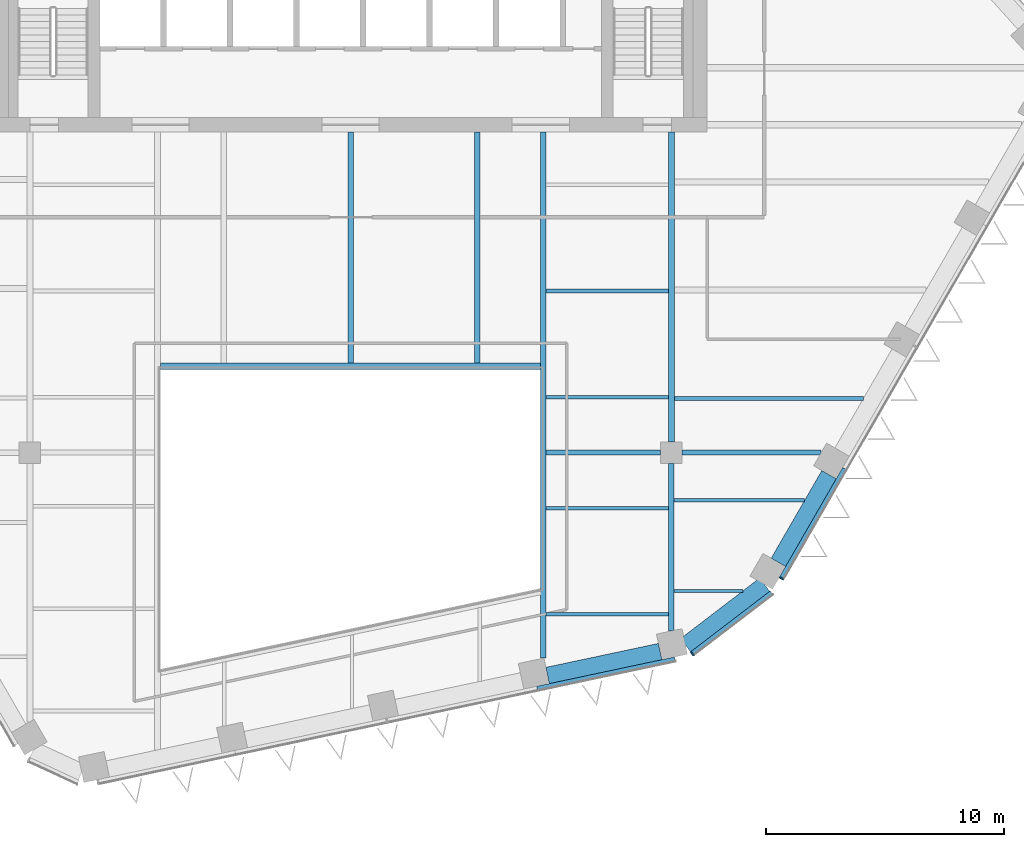
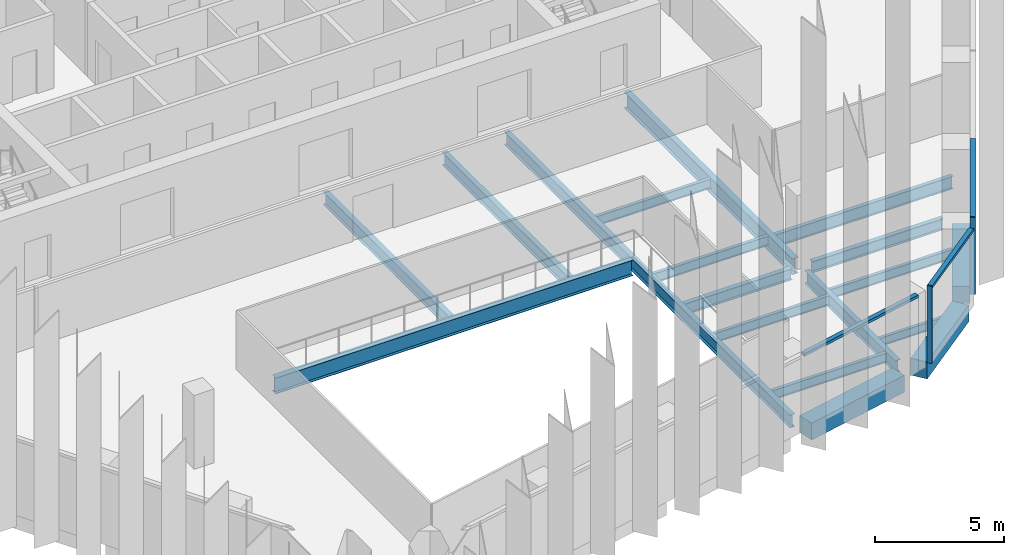
# One storey, part 4 of 18: 18 beams, 5 members, 3 elements without a shape of their own.
"""IFC4 building model written with IfcOpenShell, lengths in metres."""

from ifc_helpers import new_model, si_unit, direction, frame, origin, origin_2d, place, context, subcontext, project, spatial, rectangle, i_section, extrude, material, layer, layer_set, material_profile, profile_set, type_object, element, aggregate, save


model = new_model("IFC4")

# Units and contexts
model_context = context("Model", 3, precision=1e-05, world=origin(), true_north=direction((0.0, 1.0)))
body_context = subcontext(model_context, "Body", "Model", "MODEL_VIEW")
ifc_project = project(units=[si_unit("LENGTHUNIT", "METRE"), si_unit("AREAUNIT", "SQUARE_METRE"), si_unit("VOLUMEUNIT", "CUBIC_METRE"), si_unit("PLANEANGLEUNIT", "RADIAN"), si_unit("MASSUNIT", "GRAM", prefix="KILO")], contexts=[model_context])

# Site, building, storey
site_placement = place(None, origin())
site = spatial("IfcSite", under=ifc_project, at=site_placement, CompositionType="ELEMENT")
building_placement = place(site_placement, origin())
building = spatial("IfcBuilding", under=site, at=building_placement, Name="Isthmus Gate Tower", CompositionType="ELEMENT")
storey_placement = place(building_placement, frame((0.0, 0.0, 238.199951171875)))
storey = spatial("IfcBuildingStorey", under=building, at=storey_placement, Name="L60", CompositionType="ELEMENT", Elevation=238.199951171875)

# Curtain wall, member
ifc_material_1 = material(Name="Aluminium, pale champagne anodised", Category="aluminium")
ifc_layer = layer(ifc_material_1, 0.199951171875)
ifc_layer_set = layer_set([ifc_layer], Name="CW-1 UNITISED CURTAIN WALL 200 DEEP")
curtain_wall_type = type_object("IfcCurtainWallType", Name="CW-1 UNITISED CURTAIN WALL 200 DEEP", PredefinedType="NOTDEFINED", material=ifc_layer_set)
curtain_wall_1_placement = place(storey_placement, origin())
curtain_wall_1 = element("IfcCurtainWall", 1, at=curtain_wall_1_placement, inside=storey, type_object=curtain_wall_type, Name="CW-1 S-SE L60", PredefinedType="NOTDEFINED")
ifc_material_2 = material(Name="Aluminium, pale champagne anodised", Category="aluminium")
ifc_material_profile_1 = material_profile(ifc_material_2, rectangle(XDim=0.06005859375, YDim=0.199951171875, at=origin_2d()), Name="60x200")
ifc_profile_set_1 = profile_set([ifc_material_profile_1], Name="Aluminium, pale champagne anodised")
member_type_1 = type_object("IfcMemberType", Name="CW-1 MULLION 60 X 200", PredefinedType="MULLION", material=ifc_profile_set_1)
member_1_placement = place(storey_placement, frame((14.3720703125, -21.961669921875, 0.0), z_axis=(0.0, 0.0, 1.0), x_axis=(0.794188594387, 0.607671355706, 0.0)))
member_1 = element("IfcMember", 2, at=member_1_placement, type_object=member_type_1, Name="CW-1 mullion", PredefinedType="MULLION", context=body_context, shape_type="SweptSolid", body=[
    extrude(rectangle(XDim=0.06005859375, YDim=0.199951171875, at=origin_2d()), origin(), (0.0, 0.0, 1.0), 3.650146484375),
])

curtain_wall_2_placement = place(storey_placement, origin())
curtain_wall_2 = element("IfcCurtainWall", 3, at=curtain_wall_2_placement, inside=storey, type_object=curtain_wall_type, Name="CW-1 SE L60", PredefinedType="NOTDEFINED")
member_2_placement = place(storey_placement, frame((18.131591796875, -18.794921875, 0.0), z_axis=(0.0, 0.0, 1.0), x_axis=(0.5, 0.866025403784, 0.0)))
member_2 = element("IfcMember", 4, at=member_2_placement, type_object=member_type_1, Name="CW-1 mullion", PredefinedType="MULLION", context=body_context, shape_type="SweptSolid", body=[
    extrude(rectangle(XDim=0.06005859375, YDim=0.199951171875, at=origin_2d()), origin(), (0.0, 0.0, 1.0), 3.650146484375),
])

curtain_wall_3_placement = place(storey_placement, origin())
curtain_wall_3 = element("IfcCurtainWall", 5, at=curtain_wall_3_placement, inside=storey, type_object=curtain_wall_type, Name="CW-1 S L60", PredefinedType="NOTDEFINED")
ifc_material_3 = material(Name="Aluminium, pale champagne anodised", Category="aluminium")
ifc_material_profile_2 = material_profile(ifc_material_3, rectangle(XDim=0.199951171875, YDim=0.1298828125, at=origin_2d()), Name="200x130")
ifc_profile_set_2 = profile_set([ifc_material_profile_2], Name="Aluminium, pale champagne anodised")
member_type_2 = type_object("IfcMemberType", Name="CW-1 TRANSOM 200 X 130", PredefinedType="USERDEFINED", material=ifc_profile_set_2)
member_3_placement = place(storey_placement, frame((7.844970703125, -23.434814453125, 3.5849609375), z_axis=(0.978148616043, 0.207906914105, 0.0), x_axis=(-0.207906914105, 0.978148616043, 0.0)))
member_3 = element("IfcMember", 6, at=member_3_placement, type_object=member_type_2, Name="CW-1 transom", ObjectType="TRANSOM", PredefinedType="USERDEFINED", context=body_context, shape_type="SweptSolid", body=[
    extrude(rectangle(XDim=0.199951171875, YDim=0.1298828125, at=origin_2d()), origin(), (0.0, 0.0, 1.0), 5.94189453125),
])
aggregate(curtain_wall_3, [member_3])

# Member
member_4_placement = place(storey_placement, frame((14.39599609375, -21.943603515625, 3.5849609375), z_axis=(0.794175498212, 0.607688471209, 0.0), x_axis=(-0.607688471209, 0.794175498212, 0.0)))
member_4 = element("IfcMember", 7, at=member_4_placement, type_object=member_type_2, Name="CW-1 transom", ObjectType="TRANSOM", PredefinedType="USERDEFINED", context=body_context, shape_type="SweptSolid", body=[
    extrude(rectangle(XDim=0.199951171875, YDim=0.1298828125, at=origin_2d()), origin(), (0.0, 0.0, 1.0), 4.181396484375),
])

aggregate(curtain_wall_1, [member_1, member_4])

member_5_placement = place(storey_placement, frame((18.146728515625, -18.76904296875, 3.5849609375), z_axis=(0.499968318869, 0.866043694121, 0.0), x_axis=(-0.866043694121, 0.499968318869, 0.0)))
member_5 = element("IfcMember", 8, at=member_5_placement, type_object=member_type_2, Name="CW-1 transom", ObjectType="TRANSOM", PredefinedType="USERDEFINED", context=body_context, shape_type="SweptSolid", body=[
    extrude(rectangle(XDim=0.199951171875, YDim=0.1298828125, at=origin_2d()), origin(), (0.0, 0.0, 1.0), 5.300537109375),
])

aggregate(curtain_wall_2, [member_2, member_5])

# Beams
ifc_material_4 = material(Name="Concrete f'c 50 MPa", Category="concrete")
ifc_material_profile_3 = material_profile(ifc_material_4, rectangle(XDim=0.699951171875, YDim=0.800048828125, at=origin_2d()), Name="RC 700X800")
ifc_profile_set_3 = profile_set([ifc_material_profile_3], Name="Concrete f'c 50 MPa")
beam_type_1 = type_object("IfcBeamType", Name="RC SPANDREL 700 X 800", PredefinedType="SPANDREL", material=ifc_profile_set_3)
beam_1_placement = place(storey_placement, frame((20.13232421875, -14.429931640625, -0.39990234375), z_axis=(-0.500021719575, -0.866012863619, 0.0), x_axis=(0.866012863619, -0.500021719575, 0.0)))
element("IfcBeam", 9, at=beam_1_placement, inside=storey, type_object=beam_type_1, Name="str-spandrel-L60-09", PredefinedType="SPANDREL", context=body_context, shape_type="SweptSolid", body=[
    extrude(rectangle(XDim=0.699951171875, YDim=0.800048828125, at=origin_2d()), origin(), (0.0, 0.0, 1.0), 4.260498046875),
])
beam_2_placement = place(storey_placement, frame((17.4267578125, -19.057861328125, -0.39990234375), z_axis=(-0.794182771845, -0.60767896533, 0.0), x_axis=(0.60767896533, -0.794182771845, 0.0)))
element("IfcBeam", 10, at=beam_2_placement, inside=storey, type_object=beam_type_1, Name="str-spandrel-L60-10", PredefinedType="SPANDREL", context=body_context, shape_type="SweptSolid", body=[
    extrude(rectangle(XDim=0.699951171875, YDim=0.800048828125, at=origin_2d()), origin(), (0.0, 0.0, 1.0), 4.19677734375),
])
beam_3_placement = place(storey_placement, frame((13.025390625, -21.87353515625, -0.39990234375), z_axis=(-0.978151545833, -0.207893129722, 0.0), x_axis=(0.207893129722, -0.978151545833, 0.0)))
element("IfcBeam", 11, at=beam_3_placement, inside=storey, type_object=beam_type_1, Name="str-spandrel-L60-11", PredefinedType="SPANDREL", context=body_context, shape_type="SweptSolid", body=[
    extrude(rectangle(XDim=0.699951171875, YDim=0.800048828125, at=origin_2d()), origin(), (0.0, 0.0, 1.0), 4.841796875),
])
ifc_material_5 = material(Name="Structural steel ASTM A992 Gr 50", Category="steel")
ifc_material_profile_4 = material_profile(ifc_material_5, i_section(OverallWidth=0.1396484375, OverallDepth=0.4033203125, WebThickness=0.00634765625, FlangeThickness=0.010986328125, at=origin_2d()), Name="W16X31")
ifc_profile_set_4 = profile_set([ifc_material_profile_4], Name="Structural steel ASTM A992 Gr 50")
beam_type_2 = type_object("IfcBeamType", Name="STEEL FLOOR BEAM W16X31", PredefinedType="JOIST", material=ifc_profile_set_4)
beam_4_placement = place(storey_placement, frame((13.6142578125, -19.322998046875, -0.3515625), z_axis=(1.0, 0.0, 0.0), x_axis=(0.0, 1.0, 0.0)))
element("IfcBeam", 12, at=beam_4_placement, inside=storey, type_object=beam_type_2, Name="str-beam-L60-11-00", PredefinedType="JOIST", context=body_context, shape_type="SweptSolid", body=[
    extrude(i_section(OverallWidth=0.1396484375, OverallDepth=0.4033203125, WebThickness=0.00634765625, FlangeThickness=0.010986328125, at=origin_2d()), origin(), (0.0, 0.0, 1.0), 2.889892578125),
])
ifc_material_6 = material(Name="Structural steel ASTM A992 Gr 50", Category="steel")
ifc_material_profile_5 = material_profile(ifc_material_6, i_section(OverallWidth=0.15234375, OverallDepth=0.45068359375, WebThickness=0.0078125, FlangeThickness=0.010986328125, at=origin_2d()), Name="W18X35")
ifc_profile_set_5 = profile_set([ifc_material_profile_5], Name="Structural steel ASTM A992 Gr 50")
beam_type_3 = type_object("IfcBeamType", Name="STEEL FLOOR BEAM W18X35", PredefinedType="JOIST", material=ifc_profile_set_5)
for number, where, z_axis, x_axis, name in (
    (13, (8.228515625, -20.3046875, -0.375244140625), (1.0, 0.0, 0.0), (0.0, 1.0, 0.0), "str-beam-L60-09-00"),
    (14, (8.228515625, -15.838134765625, -0.375244140625), (1.0, 0.0, 0.0), (0.0, 1.0, 0.0), "str-beam-L60-09-01"),
):
    element("IfcBeam", number, at=place(storey_placement, frame(where, z_axis=z_axis, x_axis=x_axis)), inside=storey, type_object=beam_type_3, Name=name, PredefinedType="JOIST", context=body_context, shape_type="SweptSolid", body=[
        extrude(i_section(OverallWidth=0.15234375, OverallDepth=0.45068359375, WebThickness=0.0078125, FlangeThickness=0.010986328125, at=origin_2d()), origin(), (0.0, 0.0, 1.0), 5.1572265625),
    ])
for number, where, z_axis, x_axis, name in (
    (15, (8.228515625, -11.16259765625, -0.375244140625), (1.0, 0.0, 0.0), (0.0, 1.0, 0.0), "str-beam-L60-10-00"),
    (16, (8.228515625, -6.697509765625, -0.375244140625), (1.0, 0.0, 0.0), (0.0, 1.0, 0.0), "str-beam-L60-10-01"),
):
    element("IfcBeam", number, at=place(storey_placement, frame(where, z_axis=z_axis, x_axis=x_axis)), inside=storey, type_object=beam_type_3, Name=name, PredefinedType="JOIST", context=body_context, shape_type="SweptSolid", body=[
        extrude(i_section(OverallWidth=0.15234375, OverallDepth=0.45068359375, WebThickness=0.0078125, FlangeThickness=0.010986328125, at=origin_2d()), origin(), (0.0, 0.0, 1.0), 5.1396484375),
    ])
beam_5_placement = place(storey_placement, frame((13.6142578125, -15.5107421875, -0.375244140625), z_axis=(1.0, 0.0, 0.0), x_axis=(0.0, 1.0, 0.0)))
element("IfcBeam", 17, at=beam_5_placement, inside=storey, type_object=beam_type_3, Name="str-beam-L60-11-01", PredefinedType="JOIST", context=body_context, shape_type="SweptSolid", body=[
    extrude(i_section(OverallWidth=0.15234375, OverallDepth=0.45068359375, WebThickness=0.0078125, FlangeThickness=0.010986328125, at=origin_2d()), origin(), (0.0, 0.0, 1.0), 5.48974609375),
])
ifc_material_7 = material(Name="Structural steel ASTM A992 Gr 50", Category="steel")
ifc_material_profile_6 = material_profile(ifc_material_7, i_section(OverallWidth=0.177734375, OverallDepth=0.60009765625, WebThickness=0.009521484375, FlangeThickness=0.0126953125, at=origin_2d()), Name="W24X55")
ifc_profile_set_6 = profile_set([ifc_material_profile_6], Name="Structural steel ASTM A992 Gr 50")
beam_type_4 = type_object("IfcBeamType", Name="STEEL FLOOR BEAM W24X55", PredefinedType="JOIST", material=ifc_profile_set_6)
beam_6_placement = place(storey_placement, frame((13.6318359375, -11.221923828125, -0.449951171875), z_axis=(1.0, 0.0, 0.0), x_axis=(0.0, 1.0, 0.0)))
element("IfcBeam", 18, at=beam_6_placement, inside=storey, type_object=beam_type_4, Name="str-beam-L60-12-00", PredefinedType="JOIST", context=body_context, shape_type="SweptSolid", body=[
    extrude(i_section(OverallWidth=0.177734375, OverallDepth=0.60009765625, WebThickness=0.009521484375, FlangeThickness=0.0126953125, at=origin_2d()), origin(), (0.0, 0.0, 1.0), 7.948486328125),
])
ifc_material_8 = material(Name="Structural steel ASTM A992 Gr 50", Category="steel")
ifc_material_profile_7 = material_profile(ifc_material_8, i_section(OverallWidth=0.228515625, OverallDepth=0.603271484375, WebThickness=0.010986328125, FlangeThickness=0.014404296875, at=origin_2d()), Name="W24X68")
ifc_profile_set_7 = profile_set([ifc_material_profile_7], Name="Structural steel ASTM A992 Gr 50")
beam_type_5 = type_object("IfcBeamType", Name="STEEL FLOOR BEAM W24X68", PredefinedType="JOIST", material=ifc_profile_set_7)
for number, where, z_axis, x_axis, name in (
    (19, (0.0, -9.7333984375, -0.45166015625), (0.0, 1.0, 0.0), (-1.0, 0.0, 0.0), "str-beam-L60-07-01"),
    (20, (5.333251953125, -9.7333984375, -0.45166015625), (0.0, 1.0, 0.0), (-1.0, 0.0, 0.0), "str-beam-L60-07-02"),
):
    element("IfcBeam", number, at=place(storey_placement, frame(where, z_axis=z_axis, x_axis=x_axis)), inside=storey, type_object=beam_type_5, Name=name, PredefinedType="JOIST", context=body_context, shape_type="SweptSolid", body=[
        extrude(i_section(OverallWidth=0.228515625, OverallDepth=0.603271484375, WebThickness=0.010986328125, FlangeThickness=0.014404296875, at=origin_2d()), origin(), (0.0, 0.0, 1.0), 9.7333984375),
    ])
ifc_material_9 = material(Name="Structural steel ASTM A992 Gr 50", Category="steel")
ifc_material_profile_8 = material_profile(ifc_material_9, i_section(OverallWidth=0.20947265625, OverallDepth=0.533447265625, WebThickness=0.009521484375, FlangeThickness=0.015869140625, at=origin_2d()), Name="W21X62")
ifc_profile_set_8 = profile_set([ifc_material_profile_8], Name="Structural steel ASTM A992 Gr 50")
beam_type_6 = type_object("IfcBeamType", Name="STEEL GIRDER W21X62", PredefinedType="BEAM", material=ifc_profile_set_8)
beam_7_placement = place(storey_placement, frame((8.228515625, -13.5, -0.416748046875), z_axis=(1.0, 0.0, 0.0), x_axis=(0.0, 1.0, 0.0)))
element("IfcBeam", 21, at=beam_7_placement, inside=storey, type_object=beam_type_6, Name="str-girder-L60-03", PredefinedType="BEAM", context=body_context, shape_type="SweptSolid", body=[
    extrude(i_section(OverallWidth=0.20947265625, OverallDepth=0.533447265625, WebThickness=0.009521484375, FlangeThickness=0.015869140625, at=origin_2d()), origin(), (0.0, 0.0, 1.0), 4.821533203125),
])
beam_8_placement = place(storey_placement, frame((13.949951171875, -13.5, -0.416748046875), z_axis=(1.0, 0.0, 0.0), x_axis=(0.0, 1.0, 0.0)))
element("IfcBeam", 22, at=beam_8_placement, inside=storey, type_object=beam_type_6, Name="str-girder-L60-04", PredefinedType="BEAM", context=body_context, shape_type="SweptSolid", body=[
    extrude(i_section(OverallWidth=0.20947265625, OverallDepth=0.533447265625, WebThickness=0.009521484375, FlangeThickness=0.015869140625, at=origin_2d()), origin(), (0.0, 0.0, 1.0), 5.853271484375),
])
ifc_material_10 = material(Name="Structural steel ASTM A992 Gr 50", Category="steel")
ifc_material_profile_9 = material_profile(ifc_material_10, i_section(OverallWidth=0.228515625, OverallDepth=0.603271484375, WebThickness=0.010986328125, FlangeThickness=0.014404296875, at=origin_2d()), Name="W24X68")
ifc_profile_set_9 = profile_set([ifc_material_profile_9], Name="Structural steel ASTM A992 Gr 50")
beam_type_7 = type_object("IfcBeamType", Name="STEEL GIRDER W24X68", PredefinedType="BEAM", material=ifc_profile_set_9)
beam_9_placement = place(storey_placement, frame((13.5, -21.005859375, -0.45166015625), z_axis=(0.0, 1.0, 0.0), x_axis=(-1.0, 0.0, 0.0)))
element("IfcBeam", 23, at=beam_9_placement, inside=storey, type_object=beam_type_7, Name="str-girder-L60-07", PredefinedType="BEAM", context=body_context, shape_type="SweptSolid", body=[
    extrude(i_section(OverallWidth=0.228515625, OverallDepth=0.603271484375, WebThickness=0.010986328125, FlangeThickness=0.014404296875, at=origin_2d()), origin(), (0.0, 0.0, 1.0), 7.055908203125),
])
ifc_material_11 = material(Name="Structural steel ASTM A992 Gr 50", Category="steel")
ifc_material_profile_10 = material_profile(ifc_material_11, i_section(OverallWidth=0.263427734375, OverallDepth=0.749267578125, WebThickness=0.0126953125, FlangeThickness=0.015869140625, at=origin_2d()), Name="W30X90")
ifc_profile_set_10 = profile_set([ifc_material_profile_10], Name="Structural steel ASTM A992 Gr 50")
beam_type_8 = type_object("IfcBeamType", Name="STEEL GIRDER W30X90", PredefinedType="BEAM", material=ifc_profile_set_10)
beam_10_placement = place(storey_placement, frame((13.5, -13.050048828125, -0.524658203125), z_axis=(0.0, 1.0, 0.0), x_axis=(-1.0, 0.0, 0.0)))
element("IfcBeam", 24, at=beam_10_placement, inside=storey, type_object=beam_type_8, Name="str-girder-L60-08", PredefinedType="BEAM", context=body_context, shape_type="SweptSolid", body=[
    extrude(i_section(OverallWidth=0.263427734375, OverallDepth=0.749267578125, WebThickness=0.0126953125, FlangeThickness=0.015869140625, at=origin_2d()), origin(), (0.0, 0.0, 1.0), 13.050048828125),
])
ifc_material_12 = material(Name="Structural steel ASTM A992 Gr 50", Category="steel")
ifc_material_profile_11 = material_profile(ifc_material_12, i_section(OverallWidth=0.228515625, OverallDepth=0.6064453125, WebThickness=0.010986328125, FlangeThickness=0.017578125, at=origin_2d()), Name="W24X76")
ifc_profile_set_11 = profile_set([ifc_material_profile_11], Name="Structural steel ASTM A992 Gr 50")
beam_type_9 = type_object("IfcBeamType", Name="STEEL TRIMMER W24X76", PredefinedType="BEAM", material=ifc_profile_set_11)
beam_11_placement = place(storey_placement, frame((8.1142578125, -22.150634765625, -0.453125), z_axis=(0.0, 1.0, 0.0), x_axis=(-1.0, 0.0, 0.0)))
element("IfcBeam", 25, at=beam_11_placement, inside=storey, type_object=beam_type_9, Name="str-trimmer-L60-01", PredefinedType="BEAM", context=body_context, shape_type="SweptSolid", body=[
    extrude(i_section(OverallWidth=0.228515625, OverallDepth=0.6064453125, WebThickness=0.010986328125, FlangeThickness=0.017578125, at=origin_2d()), origin(), (0.0, 0.0, 1.0), 22.150634765625),
])
ifc_material_13 = material(Name="Structural steel ASTM A992 Gr 50", Category="steel")
ifc_material_profile_12 = material_profile(ifc_material_13, i_section(OverallWidth=0.2666015625, OverallDepth=0.7587890625, WebThickness=0.014404296875, FlangeThickness=0.01904296875, at=origin_2d()), Name="W30X108")
ifc_profile_set_12 = profile_set([ifc_material_profile_12], Name="Structural steel ASTM A992 Gr 50")
beam_type_10 = type_object("IfcBeamType", Name="STEEL TRIMMER W30X108", PredefinedType="BEAM", material=ifc_profile_set_12)
beam_12_placement = place(storey_placement, frame((8.0, -9.86669921875, -0.529296875), z_axis=(-1.0, 0.0, 0.0), x_axis=(0.0, -1.0, 0.0)))
element("IfcBeam", 26, at=beam_12_placement, inside=storey, type_object=beam_type_10, Name="str-trimmer-L60-04", PredefinedType="BEAM", context=body_context, shape_type="SweptSolid", body=[
    extrude(i_section(OverallWidth=0.2666015625, OverallDepth=0.7587890625, WebThickness=0.014404296875, FlangeThickness=0.01904296875, at=origin_2d()), origin(), (0.0, 0.0, 1.0), 16.0),
])

save(model, "model.ifc")
